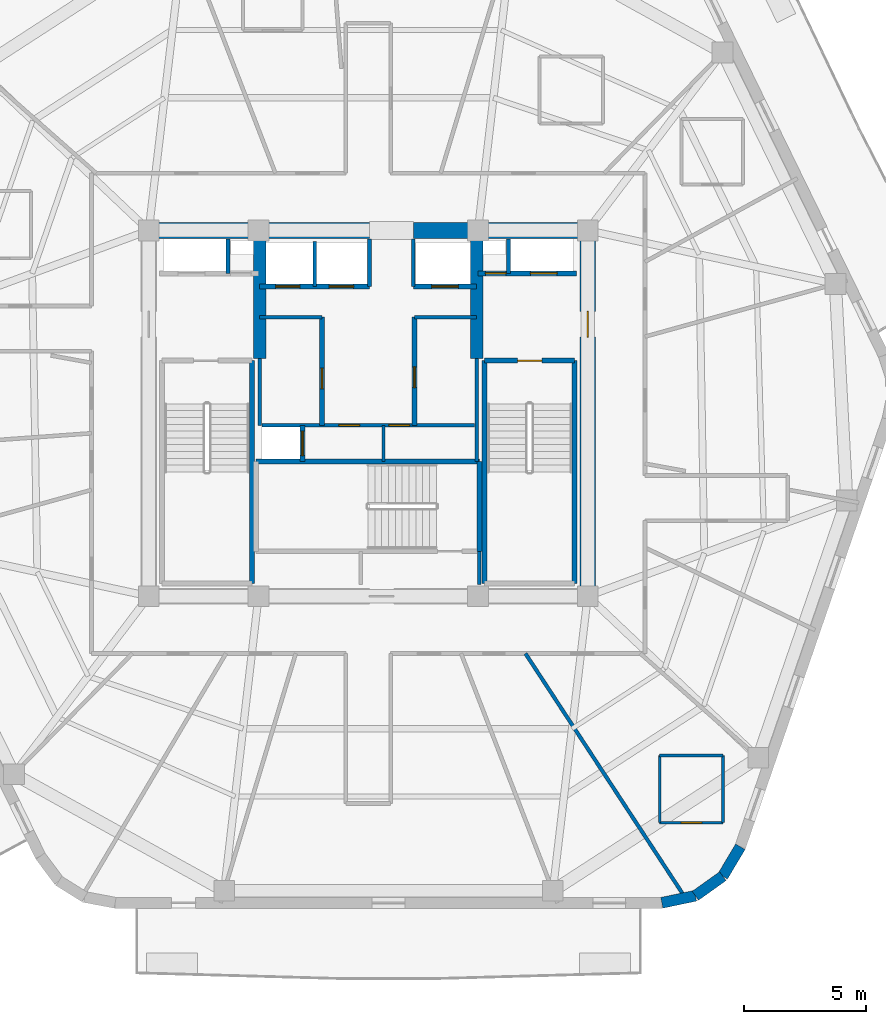
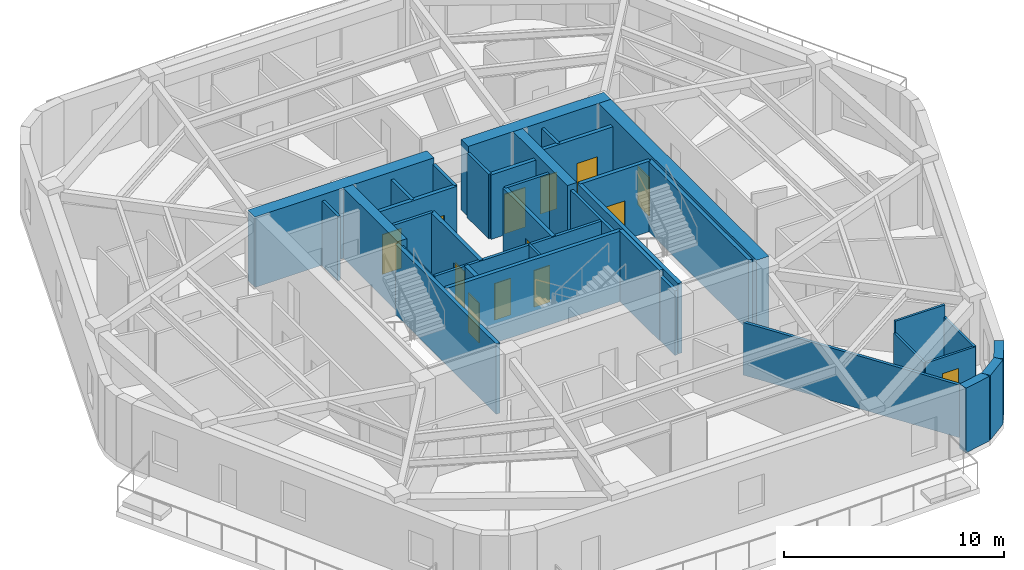
# One storey, part 4 of 9: 37 walls, 13 doors, 13 openings.
"""IFC4 building model written with IfcOpenShell, lengths in metres."""

from ifc_helpers import new_model, si_unit, direction, frame, frame_2d, origin, place, context, subcontext, project, spatial, rectangle, extrude, material, layer, layer_set, type_object, element, fill, save


model = new_model("IFC4")

# Units and contexts
model_context = context("Model", 3, precision=1e-05, world=origin(), true_north=direction((0.0, 1.0)))
body_context = subcontext(model_context, "Body", "Model", "MODEL_VIEW")
ifc_project = project(units=[si_unit("LENGTHUNIT", "METRE"), si_unit("AREAUNIT", "SQUARE_METRE"), si_unit("VOLUMEUNIT", "CUBIC_METRE"), si_unit("PLANEANGLEUNIT", "RADIAN"), si_unit("MASSUNIT", "GRAM", prefix="KILO")], contexts=[model_context])

# Site, building, storey
site_placement = place(None, origin())
site = spatial("IfcSite", under=ifc_project, at=site_placement, CompositionType="ELEMENT")
building_placement = place(site_placement, origin())
building = spatial("IfcBuilding", under=site, at=building_placement, Name="Kilnhurst Terrace Hotel", CompositionType="ELEMENT")
storey_placement = place(building_placement, frame((0.0, 0.0, 284.699951171875)))
storey = spatial("IfcBuildingStorey", under=building, at=storey_placement, Name="L71", CompositionType="ELEMENT", Elevation=284.699951171875)

# Walls
ifc_material_1 = material(Name="Precast concrete C40/50", Category="concrete")
ifc_layer_1 = layer(ifc_material_1, 0.449951171875, Name="Precast concrete C40/50")
ifc_layer_set_1 = layer_set([ifc_layer_1], Name="Precast concrete C40/50")
wall_type_1 = type_object("IfcWallType", Name="WL-BRK-450", PredefinedType="SOLIDWALL", material=ifc_layer_set_1)
wall_1_placement = place(storey_placement, frame((12.038330078125, -20.074951171875, 0.0), z_axis=(0.0, 0.0, 1.0), x_axis=(0.978750122553, 0.205056571711, 0.0)))
element("IfcWall", 1, at=wall_1_placement, inside=storey, type_object=wall_type_1, Name="L71 Rounded Corner Brick Wall C2.1", PredefinedType="SOLIDWALL", context=body_context, shape_type="SweptSolid", body=[
    extrude(rectangle(XDim=1.406005859375, YDim=0.449951171875, at=frame_2d((0.703125, 0.0))), origin(), (0.0, 0.0, 1.0), 3.580078125),
])
wall_2_placement = place(storey_placement, frame((13.41455078125, -19.78662109375, 0.0), z_axis=(0.0, 0.0, 1.0), x_axis=(0.814055493997, 0.580787097561, 0.0)))
element("IfcWall", 2, at=wall_2_placement, inside=storey, type_object=wall_type_1, Name="L71 Rounded Corner Brick Wall C2.2", PredefinedType="SOLIDWALL", context=body_context, shape_type="SweptSolid", body=[
    extrude(rectangle(XDim=1.382568359375, YDim=0.449951171875, at=frame_2d((0.69140625, 0.0))), origin(), (0.0, 0.0, 1.0), 3.580078125),
])
wall_3_placement = place(storey_placement, frame((14.5400390625, -18.983642578125, 0.0), z_axis=(0.0, 0.0, 1.0), x_axis=(0.512374906623, 0.858761873317, 0.0)))
element("IfcWall", 3, at=wall_3_placement, inside=storey, type_object=wall_type_1, Name="L71 Rounded Corner Brick Wall C2.3", PredefinedType="SOLIDWALL", context=body_context, shape_type="SweptSolid", body=[
    extrude(rectangle(XDim=1.406005859375, YDim=0.449951171875, at=frame_2d((0.703125, 0.0))), origin(), (0.0, 0.0, 1.0), 3.580078125),
])
ifc_material_2 = material(Name="Concrete C60/75", Category="concrete")
ifc_layer_2 = layer(ifc_material_2, 0.64990234375, Name="Concrete C60/75")
ifc_layer_set_2 = layer_set([ifc_layer_2], Name="Concrete C60/75")
wall_type_2 = type_object("IfcWallType", Name="WL-CORE-650", PredefinedType="SHEAR", material=ifc_layer_set_2)
wall_4_placement = place(storey_placement, frame((-9.324951171875, 7.5, 0.0), z_axis=(0.0, 0.0, 1.0), x_axis=(1.0, 0.0, 0.0)))
element("IfcWall", 4, at=wall_4_placement, inside=storey, type_object=wall_type_2, Name="L71 Core North West Shear Wall", PredefinedType="SHEAR", context=body_context, shape_type="SweptSolid", body=[
    extrude(rectangle(XDim=9.375, YDim=0.64990234375, at=frame_2d((4.6875, 0.0))), origin(), (0.0, 0.0, 1.0), 3.900146484375),
])
wall_5_placement = place(storey_placement, frame((1.85009765625, 7.5, 0.0), z_axis=(0.0, 0.0, 1.0), x_axis=(1.0, 0.0, 0.0)))
element("IfcWall", 5, at=wall_5_placement, inside=storey, type_object=wall_type_2, Name="L71 Core North East Shear Wall", PredefinedType="SHEAR", context=body_context, shape_type="SweptSolid", body=[
    extrude(rectangle(XDim=7.474853515625, YDim=0.64990234375, at=frame_2d((3.7373046875, 0.0))), origin(), (0.0, 0.0, 1.0), 3.900146484375),
])

# Wall, opening, door
wall_6_placement = place(storey_placement, frame((9.0, -7.175048828125, 0.0), z_axis=(0.0, 0.0, 1.0), x_axis=(0.0, 1.0, 0.0)))
wall_6 = element("IfcWall", 6, at=wall_6_placement, inside=storey, type_object=wall_type_2, Name="L71 Core East Shear Wall", PredefinedType="SHEAR", context=body_context, shape_type="SweptSolid", body=[
    extrude(rectangle(XDim=14.35009765625, YDim=0.64990234375, at=frame_2d((7.175048828125, 0.0))), origin(), (0.0, 0.0, 1.0), 3.900146484375),
])
opening_1_placement = place(wall_6_placement, frame((10.300048828125, 0.0, 0.0)))
opening_1 = element("IfcOpeningElement", 7, at=opening_1_placement, cuts=wall_6, Name="Opening D-90A", PredefinedType="OPENING", context=body_context, shape_type="SweptSolid", body=[
    extrude(rectangle(XDim=1.050048828125, YDim=2.14990234375, at=frame_2d((0.52490234375, 1.074951171875))), frame((0.0, 0.3349609375, 0.0), z_axis=(0.0, -1.0, 0.0), x_axis=(1.0, 0.0, 0.0)), (0.0, 0.0, 1.0), 0.669921875),
])
ifc_material_3 = material(Name="Painted Hollow Metal Steel ASTM A36 Fire Door", Category="steel")
door_type_1 = type_object("IfcDoorType", Name="DR-FD90-1050", OperationType="NOTDEFINED", PredefinedType="DOOR", material=ifc_material_3)
door_1_placement = place(opening_1_placement, origin())
door_1 = element("IfcDoor", 8, at=door_1_placement, inside=storey, type_object=door_type_1, Name="L71 East Firefighting Lobby Door", OperationType="SINGLE_SWING_LEFT", OverallHeight=2.14990234375, OverallWidth=1.050048828125, PredefinedType="DOOR", context=body_context, shape_type="SweptSolid", body=[
    extrude(rectangle(XDim=1.050048828125, YDim=2.14990234375, at=frame_2d((0.52490234375, 1.074951171875))), frame((0.0, 0.02490234375, 0.0), z_axis=(0.0, -1.0, 0.0), x_axis=(1.0, 0.0, 0.0)), (0.0, 0.0, 1.0), 0.050048828125),
])
fill(opening_1, door_1)

# Walls
ifc_layer_3 = layer(ifc_material_2, 0.5, Name="Concrete C60/75")
ifc_layer_set_3 = layer_set([ifc_layer_3], Name="Concrete C60/75")
wall_type_3 = type_object("IfcWallType", Name="WL-CORE-WEB-500", PredefinedType="SHEAR", material=ifc_layer_set_3)
for number, where, z_axis, x_axis, name in (
    (9, (-4.449951171875, 2.25, 0.0), (0.0, 0.0, 1.0), (0.0, 1.0, 0.0), "L71 Core Internal West Shear Web"),
    (10, (4.449951171875, 2.25, 0.0), (0.0, 0.0, 1.0), (0.0, 1.0, 0.0), "L71 Core Internal East Shear Web"),
):
    element("IfcWall", number, at=place(storey_placement, frame(where, z_axis=z_axis, x_axis=x_axis)), inside=storey, type_object=wall_type_3, Name=name, PredefinedType="SHEAR", context=body_context, shape_type="SweptSolid", body=[
        extrude(rectangle(XDim=4.925048828125, YDim=0.5, at=frame_2d((2.46240234375, 0.0))), origin(), (0.0, 0.0, 1.0), 3.900146484375),
    ])
ifc_material_4 = material(Name="STC-58 Acoustic Twin-Frame Guestroom Demising Partition")
ifc_layer_4 = layer(ifc_material_4, 0.14990234375, Name="STC-58 Acoustic Twin-Frame Guestroom Demising Partition")
ifc_layer_set_4 = layer_set([ifc_layer_4], Name="STC-58 Acoustic Twin-Frame Guestroom Demising Partition")
wall_type_4 = type_object("IfcWallType", Name="WL-DEM-150", PredefinedType="PARTITIONING", material=ifc_layer_set_4)
wall_7_placement = place(storey_placement, frame((6.4462890625, -9.85009765625, 0.0), z_axis=(0.0, 0.0, 1.0), x_axis=(0.547598105704, -0.836741486141, 0.0)))
element("IfcWall", 11, at=wall_7_placement, inside=storey, type_object=wall_type_4, Name="L71 Interior Wall WL-L71-DEM-MID10-15-1", PredefinedType="PARTITIONING", context=body_context, shape_type="SweptSolid", body=[
    extrude(rectangle(XDim=11.805908203125, YDim=0.14990234375, at=frame_2d((5.90283203125, 0.0))), origin(), (0.0, 0.0, 1.0), 2.920166015625),
])
ifc_material_5 = material(Name="120 mm Moisture-Resistant Tile-Backed Bathroom Partition")
ifc_layer_5 = layer(ifc_material_5, 0.1201171875, Name="120 mm Moisture-Resistant Tile-Backed Bathroom Partition")
ifc_layer_set_5 = layer_set([ifc_layer_5], Name="120 mm Moisture-Resistant Tile-Backed Bathroom Partition")
wall_type_5 = type_object("IfcWallType", Name="WL-PART-120", PredefinedType="PARTITIONING", material=ifc_layer_set_5)
wall_8_placement = place(storey_placement, frame((0.6201171875, -1.971923828125, 0.0), z_axis=(0.0, 0.0, 1.0), x_axis=(0.0, 1.0, 0.0)))
element("IfcWall", 12, at=wall_8_placement, inside=storey, type_object=wall_type_5, Name="L71 Interior Wall WL-L71-BOH-C1", PredefinedType="PARTITIONING", context=body_context, shape_type="SweptSolid", body=[
    extrude(rectangle(XDim=1.471923828125, YDim=0.1201171875, at=frame_2d((0.73583984375, 0.0))), origin(), (0.0, 0.0, 1.0), 3.580078125),
])

# Wall, opening, door
wall_9_placement = place(storey_placement, frame((11.9541015625, -16.7900390625, 0.0), z_axis=(0.0, 0.0, 1.0), x_axis=(1.0, 0.0, 0.0)))
wall_9 = element("IfcWall", 13, at=wall_9_placement, inside=storey, type_object=wall_type_5, Name="L71 Interior Wall WL-L71-BTH-15-1", PredefinedType="PARTITIONING", context=body_context, shape_type="SweptSolid", body=[
    extrude(rectangle(XDim=2.599853515625, YDim=0.1201171875, at=frame_2d((1.2998046875, 0.0))), origin(), (0.0, 0.0, 1.0), 2.920166015625),
])
opening_2_placement = place(wall_9_placement, frame((0.875, 0.0, 0.0)))
opening_2 = element("IfcOpeningElement", 14, at=opening_2_placement, cuts=wall_9, Name="Opening D-08A", PredefinedType="OPENING", context=body_context, shape_type="SweptSolid", body=[
    extrude(rectangle(XDim=0.85009765625, YDim=2.030029296875, at=frame_2d((0.425048828125, 1.01513671875))), frame((0.0, 0.070068359375, 0.0), z_axis=(0.0, -1.0, 0.0), x_axis=(1.0, 0.0, 0.0)), (0.0, 0.0, 1.0), 0.14013671875),
])
ifc_material_6 = material(Name="Moisture-Resistant Lacquered En-suite Bathroom Door")
door_type_2 = type_object("IfcDoorType", Name="DR-INT-850", OperationType="NOTDEFINED", PredefinedType="DOOR", material=ifc_material_6)
door_2_placement = place(opening_2_placement, origin())
door_2 = element("IfcDoor", 15, at=door_2_placement, inside=storey, type_object=door_type_2, Name="L71 En-suite Bathroom Door 15", OperationType="SINGLE_SWING_RIGHT", OverallHeight=2.030029296875, OverallWidth=0.85009765625, PredefinedType="DOOR", context=body_context, shape_type="SweptSolid", body=[
    extrude(rectangle(XDim=0.85009765625, YDim=2.030029296875, at=frame_2d((0.425048828125, 1.01513671875))), frame((0.0, 0.02490234375, 0.0), z_axis=(0.0, -1.0, 0.0), x_axis=(1.0, 0.0, 0.0)), (0.0, 0.0, 1.0), 0.050048828125),
])
fill(opening_2, door_2)

# Walls
wall_10_placement = place(storey_placement, frame((14.553955078125, -16.7900390625, 0.0), z_axis=(0.0, 0.0, 1.0), x_axis=(0.0, 1.0, 0.0)))
element("IfcWall", 16, at=wall_10_placement, inside=storey, type_object=wall_type_5, Name="L71 Interior Wall WL-L71-BTH-15-2", PredefinedType="PARTITIONING", context=body_context, shape_type="SweptSolid", body=[
    extrude(rectangle(XDim=2.75, YDim=0.1201171875, at=frame_2d((1.375, 0.0))), origin(), (0.0, 0.0, 1.0), 2.920166015625),
])
wall_11_placement = place(storey_placement, frame((14.553955078125, -14.0400390625, 0.0), z_axis=(0.0, 0.0, 1.0), x_axis=(-1.0, 0.0, 0.0)))
element("IfcWall", 17, at=wall_11_placement, inside=storey, type_object=wall_type_5, Name="L71 Interior Wall WL-L71-BTH-15-3", PredefinedType="PARTITIONING", context=body_context, shape_type="SweptSolid", body=[
    extrude(rectangle(XDim=2.599853515625, YDim=0.1201171875, at=frame_2d((1.2998046875, 0.0))), origin(), (0.0, 0.0, 1.0), 3.580078125),
])
wall_12_placement = place(storey_placement, frame((11.9541015625, -14.0400390625, 0.0), z_axis=(0.0, 0.0, 1.0), x_axis=(0.0, -1.0, 0.0)))
element("IfcWall", 18, at=wall_12_placement, inside=storey, type_object=wall_type_5, Name="L71 Interior Wall WL-L71-BTH-15-4", PredefinedType="PARTITIONING", context=body_context, shape_type="SweptSolid", body=[
    extrude(rectangle(XDim=2.75, YDim=0.1201171875, at=frame_2d((1.375, 0.0))), origin(), (0.0, 0.0, 1.0), 2.920166015625),
])
ifc_material_7 = material(Name="Fire-Rated Gypsum Shaftliner Assembly")
ifc_layer_6 = layer(ifc_material_7, 0.14990234375, Name="Fire-Rated Gypsum Shaftliner Assembly")
ifc_layer_set_6 = layer_set([ifc_layer_6], Name="Fire-Rated Gypsum Shaftliner Assembly")
wall_type_6 = type_object("IfcWallType", Name="WL-SHAFT-150", PredefinedType="PARTITIONING", material=ifc_layer_set_6)
wall_13_placement = place(storey_placement, frame((4.55810546875, -7.02001953125, 0.0), z_axis=(0.0, 0.0, 1.0), x_axis=(0.0, 1.0, 0.0)))
element("IfcWall", 19, at=wall_13_placement, inside=storey, type_object=wall_type_6, Name="L71 Interior Wall WL-L71-ST3-PSGE", PredefinedType="PARTITIONING", context=body_context, shape_type="SweptSolid", body=[
    extrude(rectangle(XDim=1.362060546875, YDim=0.14990234375, at=frame_2d((0.68115234375, 0.0))), origin(), (0.0, 0.0, 1.0), 3.580078125),
])
for number, where, z_axis, x_axis, name in (
    (20, (-5.75, 5.739990234375, 0.0), (0.0, 0.0, 1.0), (0.0, 1.0, 0.0), "L71 Interior Wall WL-L71-RIS1-DIV"),
    (21, (5.75, 5.739990234375, 0.0), (0.0, 0.0, 1.0), (0.0, 1.0, 0.0), "L71 Interior Wall WL-L71-RIS2-DIV"),
):
    element("IfcWall", number, at=place(storey_placement, frame(where, z_axis=z_axis, x_axis=x_axis)), inside=storey, type_object=wall_type_6, Name=name, PredefinedType="PARTITIONING", context=body_context, shape_type="SweptSolid", body=[
        extrude(rectangle(XDim=1.409912109375, YDim=0.14990234375, at=frame_2d((0.705078125, 0.0))), origin(), (0.0, 0.0, 1.0), 3.580078125),
    ])
wall_14_placement = place(storey_placement, frame((-2.199951171875, 5.199951171875, 0.0), z_axis=(0.0, 0.0, 1.0), x_axis=(0.0, 1.0, 0.0)))
element("IfcWall", 22, at=wall_14_placement, inside=storey, type_object=wall_type_6, Name="L71 Interior Wall WL-L71-HR-DIV1", PredefinedType="PARTITIONING", context=body_context, shape_type="SweptSolid", body=[
    extrude(rectangle(XDim=1.85009765625, YDim=0.14990234375, at=frame_2d((0.925048828125, 0.0))), origin(), (0.0, 0.0, 1.0), 3.580078125),
])
for number, where, z_axis, x_axis, name in (
    (23, (0.050048828125, 5.199951171875, 0.0), (0.0, 0.0, 1.0), (0.0, 1.0, 0.0), "L71 Interior Wall WL-L71-HR-PORTAL-W"),
    (24, (1.85009765625, 5.199951171875, 0.0), (0.0, 0.0, 1.0), (0.0, 1.0, 0.0), "L71 Interior Wall WL-L71-HR-PORTAL-E"),
):
    element("IfcWall", number, at=place(storey_placement, frame(where, z_axis=z_axis, x_axis=x_axis)), inside=storey, type_object=wall_type_6, Name=name, PredefinedType="PARTITIONING", context=body_context, shape_type="SweptSolid", body=[
        extrude(rectangle(XDim=1.949951171875, YDim=0.14990234375, at=frame_2d((0.97509765625, 0.0))), origin(), (0.0, 0.0, 1.0), 3.580078125),
    ])
wall_15_placement = place(storey_placement, frame((-4.449951171875, -0.5, 0.0), z_axis=(0.0, 0.0, 1.0), x_axis=(0.0, 1.0, 0.0)))
element("IfcWall", 25, at=wall_15_placement, inside=storey, type_object=wall_type_6, Name="L71 Interior Wall WL-L71-XLOB-W", PredefinedType="PARTITIONING", context=body_context, shape_type="SweptSolid", body=[
    extrude(rectangle(XDim=2.75, YDim=0.14990234375, at=frame_2d((1.375, 0.0))), origin(), (0.0, 0.0, 1.0), 3.580078125),
])
wall_16_placement = place(storey_placement, frame((4.449951171875, -1.971923828125, 0.0), z_axis=(0.0, 0.0, 1.0), x_axis=(0.0, 1.0, 0.0)))
element("IfcWall", 26, at=wall_16_placement, inside=storey, type_object=wall_type_6, Name="L71 Interior Wall WL-L71-XLOB-E", PredefinedType="PARTITIONING", context=body_context, shape_type="SweptSolid", body=[
    extrude(rectangle(XDim=4.221923828125, YDim=0.14990234375, at=frame_2d((2.11083984375, 0.0))), origin(), (0.0, 0.0, 1.0), 3.580078125),
])
for number, where, z_axis, x_axis, name in (
    (27, (-4.449951171875, 3.93994140625, 0.0), (0.0, 0.0, 1.0), (1.0, 0.0, 0.0), "L71 Interior Wall WL-L71-LR-NORTH"),
    (28, (1.89990234375, 3.93994140625, 0.0), (0.0, 0.0, 1.0), (1.0, 0.0, 0.0), "L71 Interior Wall WL-L71-MR-NORTH"),
):
    element("IfcWall", number, at=place(storey_placement, frame(where, z_axis=z_axis, x_axis=x_axis)), inside=storey, type_object=wall_type_6, Name=name, PredefinedType="PARTITIONING", context=body_context, shape_type="SweptSolid", body=[
        extrude(rectangle(XDim=2.550048828125, YDim=0.14990234375, at=frame_2d((1.27490234375, 0.0))), origin(), (0.0, 0.0, 1.0), 3.580078125),
    ])

# Wall, openings, doors
wall_17_placement = place(storey_placement, frame((-4.360107421875, -0.489990234375, 0.0), z_axis=(0.0, 0.0, 1.0), x_axis=(1.0, 0.0, 0.0)))
wall_17 = element("IfcWall", 29, at=wall_17_placement, inside=storey, type_object=wall_type_6, Name="L71 Interior Wall WL-L71-BOH-N", PredefinedType="PARTITIONING", context=body_context, shape_type="SweptSolid", body=[
    extrude(rectangle(XDim=8.72021484375, YDim=0.14990234375, at=frame_2d((4.360107421875, 0.0))), origin(), (0.0, 0.0, 1.0), 3.580078125),
])
opening_3_placement = place(wall_17_placement, frame((3.159912109375, 0.0, 0.0)))
opening_3 = element("IfcOpeningElement", 30, at=opening_3_placement, cuts=wall_17, Name="Opening D-60D", PredefinedType="OPENING", context=body_context, shape_type="SweptSolid", body=[
    extrude(rectangle(XDim=0.85009765625, YDim=2.030029296875, at=frame_2d((0.425048828125, 1.01513671875))), frame((0.0, 0.0849609375, 0.0), z_axis=(0.0, -1.0, 0.0), x_axis=(1.0, 0.0, 0.0)), (0.0, 0.0, 1.0), 0.169921875),
])
opening_4_placement = place(wall_17_placement, frame((5.2099609375, 0.0, 0.0)))
opening_4 = element("IfcOpeningElement", 31, at=opening_4_placement, cuts=wall_17, Name="Opening D-60D", PredefinedType="OPENING", context=body_context, shape_type="SweptSolid", body=[
    extrude(rectangle(XDim=0.85009765625, YDim=2.030029296875, at=frame_2d((0.425048828125, 1.01513671875))), frame((0.0, 0.0849609375, 0.0), z_axis=(0.0, -1.0, 0.0), x_axis=(1.0, 0.0, 0.0)), (0.0, 0.0, 1.0), 0.169921875),
])
ifc_material_8 = material(Name="Painted Hollow Metal Steel ASTM A36 Riser Door", Category="steel")
door_type_3 = type_object("IfcDoorType", Name="DR-FD60-850", OperationType="NOTDEFINED", PredefinedType="DOOR", material=ifc_material_8)
door_3_placement = place(opening_3_placement, origin())
door_3 = element("IfcDoor", 32, at=door_3_placement, inside=storey, type_object=door_type_3, Name="L71 Housekeeping Laundry Door", OperationType="SINGLE_SWING_LEFT", OverallHeight=2.030029296875, OverallWidth=0.85009765625, PredefinedType="DOOR", context=body_context, shape_type="SweptSolid", body=[
    extrude(rectangle(XDim=0.85009765625, YDim=2.030029296875, at=frame_2d((0.425048828125, 1.01513671875))), frame((0.0, 0.02490234375, 0.0), z_axis=(0.0, -1.0, 0.0), x_axis=(1.0, 0.0, 0.0)), (0.0, 0.0, 1.0), 0.050048828125),
])
fill(opening_3, door_3)
door_4_placement = place(opening_4_placement, origin())
door_4 = element("IfcDoor", 33, at=door_4_placement, inside=storey, type_object=door_type_3, Name="L71 Room Service Kitchen Door", OperationType="SINGLE_SWING_RIGHT", OverallHeight=2.030029296875, OverallWidth=0.85009765625, PredefinedType="DOOR", context=body_context, shape_type="SweptSolid", body=[
    extrude(rectangle(XDim=0.85009765625, YDim=2.030029296875, at=frame_2d((0.425048828125, 1.01513671875))), frame((0.0, 0.02490234375, 0.0), z_axis=(0.0, -1.0, 0.0), x_axis=(1.0, 0.0, 0.0)), (0.0, 0.0, 1.0), 0.050048828125),
])
fill(opening_4, door_4)

ifc_material_9 = material(Name="Autoclaved Aerated Concrete C30/37 and Gypsum Shaft Assembly", Category="concrete")
ifc_layer_7 = layer(ifc_material_9, 0.199951171875, Name="Autoclaved Aerated Concrete C30/37 and Gypsum Shaft Assembly")
ifc_layer_set_7 = layer_set([ifc_layer_7], Name="Autoclaved Aerated Concrete C30/37 and Gypsum Shaft Assembly")
wall_type_7 = type_object("IfcWallType", Name="WL-SHAFT-200", PredefinedType="PARTITIONING", material=ifc_layer_set_7)
wall_18_placement = place(storey_placement, frame((4.5, 5.739990234375, 0.0), z_axis=(0.0, 0.0, 1.0), x_axis=(1.0, 0.0, 0.0)))
wall_18 = element("IfcWall", 34, at=wall_18_placement, inside=storey, type_object=wall_type_7, Name="L71 Interior Wall WL-L71-FSAE2-S", PredefinedType="PARTITIONING", context=body_context, shape_type="SweptSolid", body=[
    extrude(rectangle(XDim=4.050048828125, YDim=0.199951171875, at=frame_2d((2.02490234375, 0.0))), origin(), (0.0, 0.0, 1.0), 3.580078125),
])
opening_5_placement = place(wall_18_placement, frame((0.300048828125, 0.0, 0.0)))
opening_5 = element("IfcOpeningElement", 35, at=opening_5_placement, cuts=wall_18, Name="Opening D-60D", PredefinedType="OPENING", context=body_context, shape_type="SweptSolid", body=[
    extrude(rectangle(XDim=0.85009765625, YDim=2.030029296875, at=frame_2d((0.425048828125, 1.01513671875))), frame((0.0, 0.10986328125, 0.0), z_axis=(0.0, -1.0, 0.0), x_axis=(1.0, 0.0, 0.0)), (0.0, 0.0, 1.0), 0.219970703125),
])
opening_6_placement = place(wall_18_placement, frame((2.14990234375, 0.0, 0.0)))
opening_6 = element("IfcOpeningElement", 36, at=opening_6_placement, cuts=wall_18, Name="Opening LD-F2", PredefinedType="OPENING", context=body_context, shape_type="SweptSolid", body=[
    extrude(rectangle(XDim=1.10009765625, YDim=2.199951171875, at=frame_2d((0.550048828125, 1.10009765625))), frame((0.0, 0.10986328125, 0.0), z_axis=(0.0, -1.0, 0.0), x_axis=(1.0, 0.0, 0.0)), (0.0, 0.0, 1.0), 0.219970703125),
])
door_5_placement = place(opening_5_placement, origin())
door_5 = element("IfcDoor", 37, at=door_5_placement, inside=storey, type_object=door_type_3, Name="L71 Telecom Riser Door", OperationType="SINGLE_SWING_RIGHT", OverallHeight=2.030029296875, OverallWidth=0.85009765625, PredefinedType="DOOR", context=body_context, shape_type="SweptSolid", body=[
    extrude(rectangle(XDim=0.85009765625, YDim=2.030029296875, at=frame_2d((0.425048828125, 1.01513671875))), frame((0.0, 0.02490234375, 0.0), z_axis=(0.0, -1.0, 0.0), x_axis=(1.0, 0.0, 0.0)), (0.0, 0.0, 1.0), 0.050048828125),
])
fill(opening_5, door_5)
ifc_material_10 = material(Name="Bronze-Anodized Stainless Steel AISI 316L Sliding Door", Category="steel")
door_type_4 = type_object("IfcDoorType", Name="DR-LIFT-1100", OperationType="NOTDEFINED", PredefinedType="DOOR", material=ifc_material_10)
door_6_placement = place(opening_6_placement, origin())
door_6 = element("IfcDoor", 38, at=door_6_placement, inside=storey, type_object=door_type_4, Name="L71 FSAE-2 Landing Door", OperationType="SLIDING_TO_RIGHT", OverallHeight=2.199951171875, OverallWidth=1.10009765625, PredefinedType="DOOR", context=body_context, shape_type="SweptSolid", body=[
    extrude(rectangle(XDim=1.10009765625, YDim=2.199951171875, at=frame_2d((0.550048828125, 1.10009765625))), frame((0.0, 0.02490234375, 0.0), z_axis=(0.0, -1.0, 0.0), x_axis=(1.0, 0.0, 0.0)), (0.0, 0.0, 1.0), 0.050048828125),
])
fill(opening_6, door_6)

# Wall, opening, door
wall_19_placement = place(storey_placement, frame((-2.699951171875, -1.971923828125, 0.0), z_axis=(0.0, 0.0, 1.0), x_axis=(0.0, 1.0, 0.0)))
wall_19 = element("IfcWall", 39, at=wall_19_placement, inside=storey, type_object=wall_type_7, Name="L71 Interior Wall WL-L71-SRV1-E", PredefinedType="PARTITIONING", context=body_context, shape_type="SweptSolid", body=[
    extrude(rectangle(XDim=1.471923828125, YDim=0.199951171875, at=frame_2d((0.73583984375, 0.0))), origin(), (0.0, 0.0, 1.0), 3.580078125),
])
opening_7_placement = place(wall_19_placement, frame((0.239990234375, 0.0, 0.0)))
opening_7 = element("IfcOpeningElement", 40, at=opening_7_placement, cuts=wall_19, Name="Opening LD-SV", PredefinedType="OPENING", context=body_context, shape_type="SweptSolid", body=[
    extrude(rectangle(XDim=1.0, YDim=2.199951171875, at=frame_2d((0.5, 1.10009765625))), frame((0.0, 0.10986328125, 0.0), z_axis=(0.0, -1.0, 0.0), x_axis=(1.0, 0.0, 0.0)), (0.0, 0.0, 1.0), 0.219970703125),
])
door_type_5 = type_object("IfcDoorType", Name="DR-LIFT-1000", OperationType="NOTDEFINED", PredefinedType="DOOR", material=ifc_material_10)
door_7_placement = place(opening_7_placement, origin())
door_7 = element("IfcDoor", 41, at=door_7_placement, inside=storey, type_object=door_type_5, Name="L71 Service Lift SRV-1 Landing Door", OperationType="SLIDING_TO_LEFT", OverallHeight=2.199951171875, OverallWidth=1.0, PredefinedType="DOOR", context=body_context, shape_type="SweptSolid", body=[
    extrude(rectangle(XDim=1.0, YDim=2.199951171875, at=frame_2d((0.5, 1.10009765625))), frame((0.0, 0.02490234375, 0.0), z_axis=(0.0, -1.0, 0.0), x_axis=(1.0, 0.0, 0.0)), (0.0, 0.0, 1.0), 0.050048828125),
])
fill(opening_7, door_7)

# Wall, openings, doors
wall_20_placement = place(storey_placement, frame((-4.449951171875, 5.199951171875, 0.0), z_axis=(0.0, 0.0, 1.0), x_axis=(1.0, 0.0, 0.0)))
wall_20 = element("IfcWall", 42, at=wall_20_placement, inside=storey, type_object=wall_type_7, Name="L71 Interior Wall WL-L71-HR-SW", PredefinedType="PARTITIONING", context=body_context, shape_type="SweptSolid", body=[
    extrude(rectangle(XDim=4.5, YDim=0.199951171875, at=frame_2d((2.25, 0.0))), origin(), (0.0, 0.0, 1.0), 3.580078125),
])
opening_8_placement = place(wall_20_placement, frame((0.64990234375, 0.0, 0.0)))
opening_8 = element("IfcOpeningElement", 43, at=opening_8_placement, cuts=wall_20, Name="Opening LD-HR", PredefinedType="OPENING", context=body_context, shape_type="SweptSolid", body=[
    extrude(rectangle(XDim=1.0, YDim=2.199951171875, at=frame_2d((0.5, 1.10009765625))), frame((0.0, 0.10986328125, 0.0), z_axis=(0.0, -1.0, 0.0), x_axis=(1.0, 0.0, 0.0)), (0.0, 0.0, 1.0), 0.219970703125),
])
opening_9_placement = place(wall_20_placement, frame((2.85009765625, 0.0, 0.0)))
opening_9 = element("IfcOpeningElement", 44, at=opening_9_placement, cuts=wall_20, Name="Opening LD-HS", PredefinedType="OPENING", context=body_context, shape_type="SweptSolid", body=[
    extrude(rectangle(XDim=1.0, YDim=2.199951171875, at=frame_2d((0.5, 1.10009765625))), frame((0.0, 0.10986328125, 0.0), z_axis=(0.0, -1.0, 0.0), x_axis=(1.0, 0.0, 0.0)), (0.0, 0.0, 1.0), 0.219970703125),
])
door_8_placement = place(opening_8_placement, origin())
door_8 = element("IfcDoor", 45, at=door_8_placement, inside=storey, type_object=door_type_5, Name="L71 High Rise Lift HR-1 Landing Door", OperationType="SLIDING_TO_LEFT", OverallHeight=2.199951171875, OverallWidth=1.0, PredefinedType="DOOR", context=body_context, shape_type="SweptSolid", body=[
    extrude(rectangle(XDim=1.0, YDim=2.199951171875, at=frame_2d((0.5, 1.10009765625))), frame((0.0, 0.02490234375, 0.0), z_axis=(0.0, -1.0, 0.0), x_axis=(1.0, 0.0, 0.0)), (0.0, 0.0, 1.0), 0.050048828125),
])
fill(opening_8, door_8)
door_9_placement = place(opening_9_placement, origin())
door_9 = element("IfcDoor", 46, at=door_9_placement, inside=storey, type_object=door_type_5, Name="L71 High Rise Lift HR-3 Landing Door", OperationType="SLIDING_TO_RIGHT", OverallHeight=2.199951171875, OverallWidth=1.0, PredefinedType="DOOR", context=body_context, shape_type="SweptSolid", body=[
    extrude(rectangle(XDim=1.0, YDim=2.199951171875, at=frame_2d((0.5, 1.10009765625))), frame((0.0, 0.02490234375, 0.0), z_axis=(0.0, -1.0, 0.0), x_axis=(1.0, 0.0, 0.0)), (0.0, 0.0, 1.0), 0.050048828125),
])
fill(opening_9, door_9)

# Wall, opening, door
wall_21_placement = place(storey_placement, frame((1.85009765625, 5.199951171875, 0.0), z_axis=(0.0, 0.0, 1.0), x_axis=(1.0, 0.0, 0.0)))
wall_21 = element("IfcWall", 47, at=wall_21_placement, inside=storey, type_object=wall_type_7, Name="L71 Interior Wall WL-L71-HR-SE", PredefinedType="PARTITIONING", context=body_context, shape_type="SweptSolid", body=[
    extrude(rectangle(XDim=2.599853515625, YDim=0.199951171875, at=frame_2d((1.2998046875, 0.0))), origin(), (0.0, 0.0, 1.0), 3.580078125),
])
opening_10_placement = place(wall_21_placement, frame((0.75, 0.0, 0.0)))
opening_10 = element("IfcOpeningElement", 48, at=opening_10_placement, cuts=wall_21, Name="Opening LD-H2", PredefinedType="OPENING", context=body_context, shape_type="SweptSolid", body=[
    extrude(rectangle(XDim=1.10009765625, YDim=2.199951171875, at=frame_2d((0.550048828125, 1.10009765625))), frame((0.0, 0.10986328125, 0.0), z_axis=(0.0, -1.0, 0.0), x_axis=(1.0, 0.0, 0.0)), (0.0, 0.0, 1.0), 0.219970703125),
])
door_10_placement = place(opening_10_placement, origin())
door_10 = element("IfcDoor", 49, at=door_10_placement, inside=storey, type_object=door_type_4, Name="L71 High Rise Lift HR-2 Landing Door", OperationType="SLIDING_TO_RIGHT", OverallHeight=2.199951171875, OverallWidth=1.10009765625, PredefinedType="DOOR", context=body_context, shape_type="SweptSolid", body=[
    extrude(rectangle(XDim=1.10009765625, YDim=2.199951171875, at=frame_2d((0.550048828125, 1.10009765625))), frame((0.0, 0.02490234375, 0.0), z_axis=(0.0, -1.0, 0.0), x_axis=(1.0, 0.0, 0.0)), (0.0, 0.0, 1.0), 0.050048828125),
])
fill(opening_10, door_10)

wall_22_placement = place(storey_placement, frame((-1.89990234375, -0.5, 0.0), z_axis=(0.0, 0.0, 1.0), x_axis=(0.0, 1.0, 0.0)))
wall_22 = element("IfcWall", 50, at=wall_22_placement, inside=storey, type_object=wall_type_7, Name="L71 Interior Wall WL-L71-LR-FRONT", PredefinedType="PARTITIONING", context=body_context, shape_type="SweptSolid", body=[
    extrude(rectangle(XDim=4.43994140625, YDim=0.199951171875, at=frame_2d((2.219970703125, 0.0))), origin(), (0.0, 0.0, 1.0), 3.580078125),
])
opening_11_placement = place(wall_22_placement, frame((1.5, 0.0, 0.0)))
opening_11 = element("IfcOpeningElement", 51, at=opening_11_placement, cuts=wall_22, Name="Opening D-60D", PredefinedType="OPENING", context=body_context, shape_type="SweptSolid", body=[
    extrude(rectangle(XDim=0.85009765625, YDim=2.030029296875, at=frame_2d((0.425048828125, 1.01513671875))), frame((0.0, 0.10986328125, 0.0), z_axis=(0.0, -1.0, 0.0), x_axis=(1.0, 0.0, 0.0)), (0.0, 0.0, 1.0), 0.219970703125),
])
door_11_placement = place(opening_11_placement, origin())
door_11 = element("IfcDoor", 52, at=door_11_placement, inside=storey, type_object=door_type_3, Name="L71 Reclaimed Linen Room Door", OperationType="SINGLE_SWING_LEFT", OverallHeight=2.030029296875, OverallWidth=0.85009765625, PredefinedType="DOOR", context=body_context, shape_type="SweptSolid", body=[
    extrude(rectangle(XDim=0.85009765625, YDim=2.030029296875, at=frame_2d((0.425048828125, 1.01513671875))), frame((0.0, 0.02490234375, 0.0), z_axis=(0.0, -1.0, 0.0), x_axis=(1.0, 0.0, 0.0)), (0.0, 0.0, 1.0), 0.050048828125),
])
fill(opening_11, door_11)

wall_23_placement = place(storey_placement, frame((1.89990234375, -0.5, 0.0), z_axis=(0.0, 0.0, 1.0), x_axis=(0.0, 1.0, 0.0)))
wall_23 = element("IfcWall", 53, at=wall_23_placement, inside=storey, type_object=wall_type_7, Name="L71 Interior Wall WL-L71-MR-FRONT", PredefinedType="PARTITIONING", context=body_context, shape_type="SweptSolid", body=[
    extrude(rectangle(XDim=4.43994140625, YDim=0.199951171875, at=frame_2d((2.219970703125, 0.0))), origin(), (0.0, 0.0, 1.0), 3.580078125),
])
opening_12_placement = place(wall_23_placement, frame((1.550048828125, 0.0, 0.0)))
opening_12 = element("IfcOpeningElement", 54, at=opening_12_placement, cuts=wall_23, Name="Opening D-60D", PredefinedType="OPENING", context=body_context, shape_type="SweptSolid", body=[
    extrude(rectangle(XDim=0.85009765625, YDim=2.030029296875, at=frame_2d((0.425048828125, 1.01513671875))), frame((0.0, 0.10986328125, 0.0), z_axis=(0.0, -1.0, 0.0), x_axis=(1.0, 0.0, 0.0)), (0.0, 0.0, 1.0), 0.219970703125),
])
door_12_placement = place(opening_12_placement, origin())
door_12 = element("IfcDoor", 55, at=door_12_placement, inside=storey, type_object=door_type_3, Name="L71 Staff Accessible Restroom Door", OperationType="SINGLE_SWING_RIGHT", OverallHeight=2.030029296875, OverallWidth=0.85009765625, PredefinedType="DOOR", context=body_context, shape_type="SweptSolid", body=[
    extrude(rectangle(XDim=0.85009765625, YDim=2.030029296875, at=frame_2d((0.425048828125, 1.01513671875))), frame((0.0, 0.02490234375, 0.0), z_axis=(0.0, -1.0, 0.0), x_axis=(1.0, 0.0, 0.0)), (0.0, 0.0, 1.0), 0.050048828125),
])
fill(opening_12, door_12)

# Walls
ifc_material_11 = material(Name="Concrete C50/60", Category="concrete")
ifc_layer_8 = layer(ifc_material_11, 0.199951171875, Name="Concrete C50/60")
ifc_layer_set_8 = layer_set([ifc_layer_8], Name="Concrete C50/60")
wall_type_8 = type_object("IfcWallType", Name="WL-STAIR-RC-200", PredefinedType="SHEAR", material=ifc_layer_set_8)
for number, where, z_axis, x_axis, name in (
    (56, (-4.77197265625, -6.985107421875, 0.0), (0.0, 0.0, 1.0), (0.0, 1.0, 0.0), "L71 Structural Stair Shaft Wall WL-L71-ST1-E"),
    (57, (4.77197265625, -6.985107421875, 0.0), (0.0, 0.0, 1.0), (0.0, 1.0, 0.0), "L71 Structural Stair Shaft Wall WL-L71-ST2-W"),
    (58, (8.4580078125, -6.985107421875, 0.0), (0.0, 0.0, 1.0), (0.0, 1.0, 0.0), "L71 Structural Stair Shaft Wall WL-L71-ST2-E"),
):
    element("IfcWall", number, at=place(storey_placement, frame(where, z_axis=z_axis, x_axis=x_axis)), inside=storey, type_object=wall_type_8, Name=name, PredefinedType="SHEAR", context=body_context, shape_type="SweptSolid", body=[
        extrude(rectangle(XDim=9.14306640625, YDim=0.199951171875, at=frame_2d((4.571533203125, 0.0))), origin(), (0.0, 0.0, 1.0), 3.900146484375),
    ])

# Wall, opening, door
wall_24_placement = place(storey_placement, frame((4.77197265625, 2.157958984375, 0.0), z_axis=(0.0, 0.0, 1.0), x_axis=(1.0, 0.0, 0.0)))
wall_24 = element("IfcWall", 59, at=wall_24_placement, inside=storey, type_object=wall_type_8, Name="L71 Structural Stair Shaft Wall WL-L71-ST2-N", PredefinedType="SHEAR", context=body_context, shape_type="SweptSolid", body=[
    extrude(rectangle(XDim=3.68603515625, YDim=0.199951171875, at=frame_2d((1.843017578125, 0.0))), origin(), (0.0, 0.0, 1.0), 3.900146484375),
])
opening_13_placement = place(wall_24_placement, frame((1.35009765625, 0.0, 0.0)))
opening_13 = element("IfcOpeningElement", 60, at=opening_13_placement, cuts=wall_24, Name="Opening D-90B", PredefinedType="OPENING", context=body_context, shape_type="SweptSolid", body=[
    extrude(rectangle(XDim=1.0, YDim=2.14990234375, at=frame_2d((0.5, 1.074951171875))), frame((0.0, 0.10986328125, 0.0), z_axis=(0.0, -1.0, 0.0), x_axis=(1.0, 0.0, 0.0)), (0.0, 0.0, 1.0), 0.219970703125),
])
door_type_6 = type_object("IfcDoorType", Name="DR-FD90-1000", OperationType="NOTDEFINED", PredefinedType="DOOR", material=ifc_material_3)
door_13_placement = place(opening_13_placement, origin())
door_13 = element("IfcDoor", 61, at=door_13_placement, inside=storey, type_object=door_type_6, Name="L71 Stair ST-2 Door", OperationType="SINGLE_SWING_RIGHT", OverallHeight=2.14990234375, OverallWidth=1.0, PredefinedType="DOOR", context=body_context, shape_type="SweptSolid", body=[
    extrude(rectangle(XDim=1.0, YDim=2.14990234375, at=frame_2d((0.5, 1.074951171875))), frame((0.0, 0.02490234375, 0.0), z_axis=(0.0, -1.0, 0.0), x_axis=(1.0, 0.0, 0.0)), (0.0, 0.0, 1.0), 0.050048828125),
])
fill(opening_13, door_13)

# Walls
wall_25_placement = place(storey_placement, frame((-4.60791015625, -1.971923828125, 0.0), z_axis=(0.0, 0.0, 1.0), x_axis=(1.0, 0.0, 0.0)))
element("IfcWall", 62, at=wall_25_placement, inside=storey, type_object=wall_type_8, Name="L71 Structural Stair Shaft Wall WL-L71-ST3-N", PredefinedType="SHEAR", context=body_context, shape_type="SweptSolid", body=[
    extrude(rectangle(XDim=9.166015625, YDim=0.199951171875, at=frame_2d((4.5830078125, 0.0))), origin(), (0.0, 0.0, 1.0), 3.900146484375),
])
wall_26_placement = place(storey_placement, frame((4.55810546875, -5.657958984375, 0.0), z_axis=(0.0, 0.0, 1.0), x_axis=(0.0, 1.0, 0.0)))
element("IfcWall", 63, at=wall_26_placement, inside=storey, type_object=wall_type_8, Name="L71 Structural Stair Shaft Wall WL-L71-ST3-E", PredefinedType="SHEAR", context=body_context, shape_type="SweptSolid", body=[
    extrude(rectangle(XDim=3.68603515625, YDim=0.199951171875, at=frame_2d((1.843017578125, 0.0))), origin(), (0.0, 0.0, 1.0), 3.900146484375),
])

save(model, "model.ifc")
